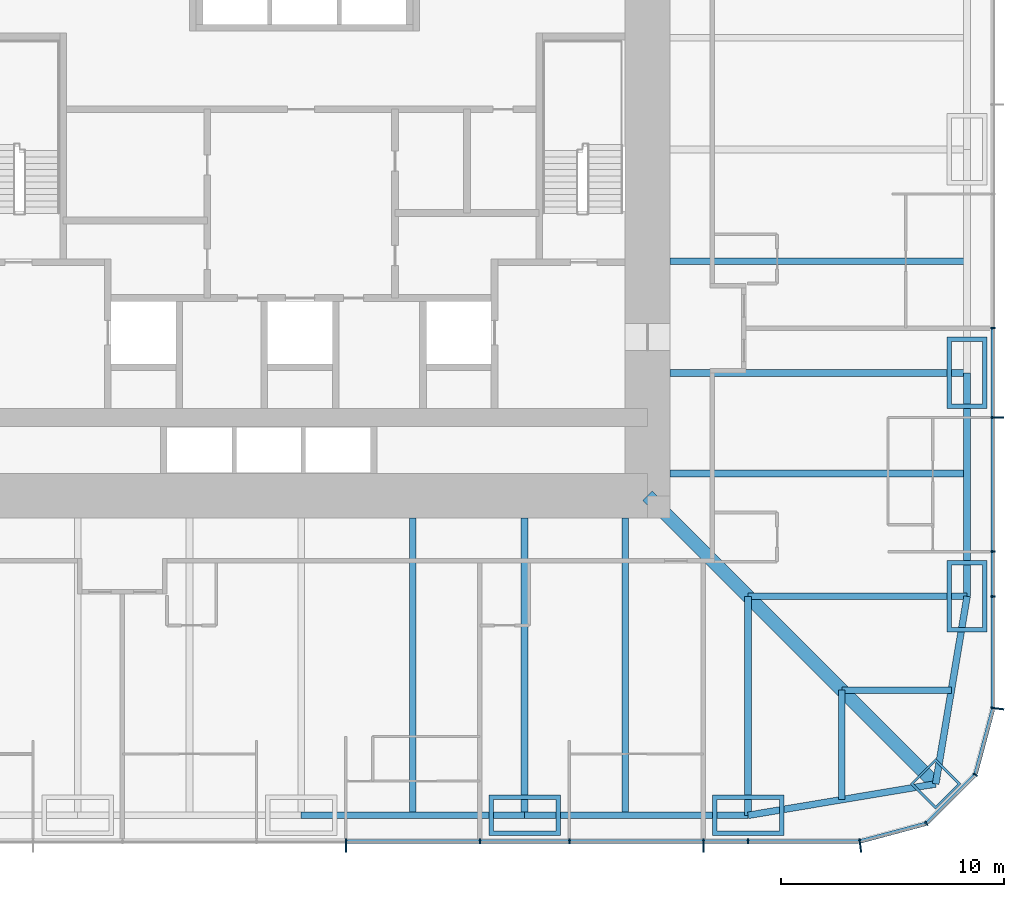
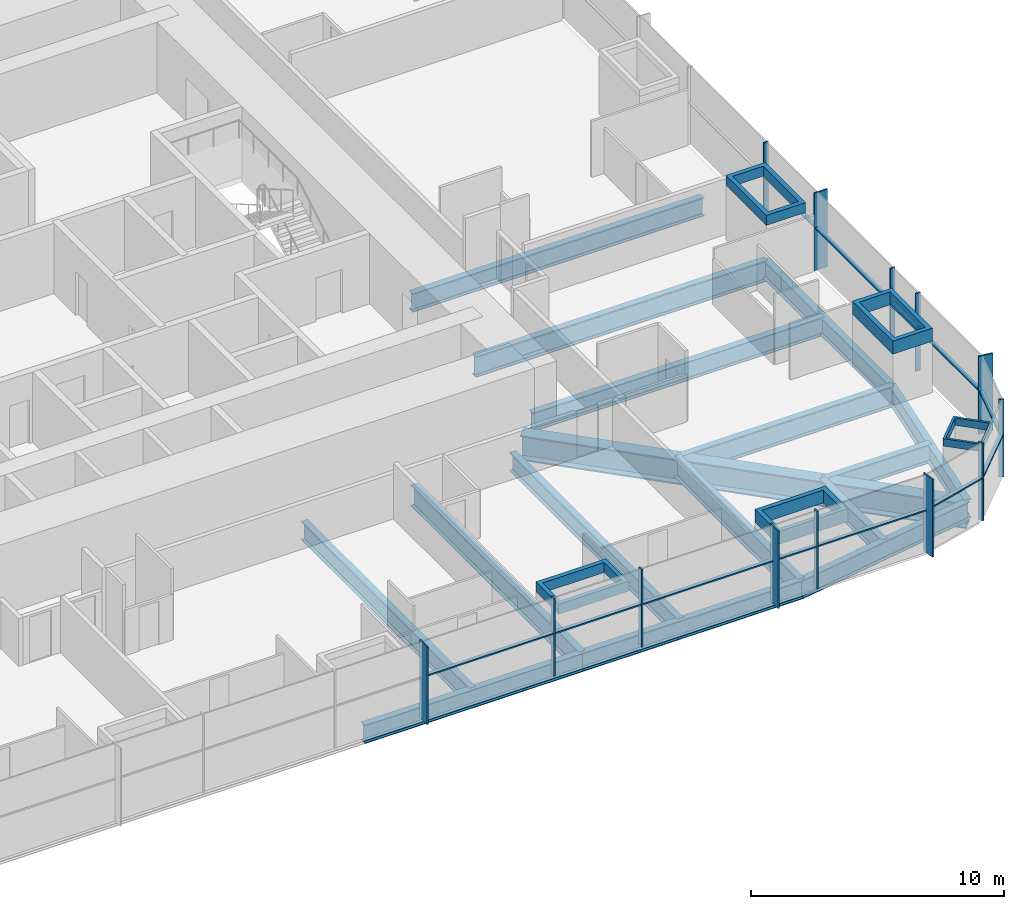
# One storey, part 4 of 17: 30 members, 16 beams, 3 elements without a shape of their own.
"""IFC4 building model written with IfcOpenShell, lengths in metres."""

from ifc_helpers import new_model, si_unit, direction, frame, origin, origin_2d, place, context, subcontext, project, spatial, rectangle, hollow_rectangle, i_section, extrude, material, material_profile, profile_set, type_object, element, aggregate, save


model = new_model("IFC4")

# Units and contexts
model_context = context("Model", 3, precision=1e-05, world=origin(), true_north=direction((0.0, 1.0)))
body_context = subcontext(model_context, "Body", "Model", "MODEL_VIEW")
ifc_project = project(units=[si_unit("LENGTHUNIT", "METRE"), si_unit("AREAUNIT", "SQUARE_METRE"), si_unit("VOLUMEUNIT", "CUBIC_METRE"), si_unit("PLANEANGLEUNIT", "RADIAN"), si_unit("MASSUNIT", "GRAM", prefix="KILO")], contexts=[model_context])

# Site, building, storey
site_placement = place(None, origin())
site = spatial("IfcSite", under=ifc_project, at=site_placement, CompositionType="ELEMENT")
building_placement = place(site_placement, origin())
building = spatial("IfcBuilding", under=site, at=building_placement, Name="Khuree Lantern Residences", CompositionType="ELEMENT")
storey_placement = place(building_placement, frame((0.0, 0.0, 96.0)))
storey = spatial("IfcBuildingStorey", under=building, at=storey_placement, Name="L24", CompositionType="ELEMENT", Elevation=96.0)

# Beams
ifc_material_1 = material(Name="Steel S355", Category="steel")
ifc_material_profile_1 = material_profile(ifc_material_1, i_section(OverallWidth=0.300048828125, OverallDepth=0.89990234375, WebThickness=0.0185546875, FlangeThickness=0.034912109375, FilletRadius=0.030029296875, at=origin_2d()), Name="HE 900 B")
ifc_profile_set_1 = profile_set([ifc_material_profile_1], Name="Steel S355")
beam_type_1 = type_object("IfcBeamType", Name="B-15A SECONDARY BEAM HE 900 B", PredefinedType="BEAM", material=ifc_profile_set_1)
for number, where, z_axis, x_axis, name in (
    (1, (29.800048828125, -5.0, -0.699951171875), (-1.0, 0.0, 0.0), (0.0, -1.0, 0.0), "Secondary beam E4"),
    (2, (29.800048828125, -14.5, -0.699951171875), (-1.0, 0.0, 0.0), (0.0, -1.0, 0.0), "Secondary beam E5"),
):
    element("IfcBeam", number, at=place(storey_placement, frame(where, z_axis=z_axis, x_axis=x_axis)), inside=storey, type_object=beam_type_1, Name=name, PredefinedType="BEAM", context=body_context, shape_type="SweptSolid", body=[
        extrude(i_section(OverallWidth=0.300048828125, OverallDepth=0.89990234375, WebThickness=0.0185546875, FlangeThickness=0.034912109375, FilletRadius=0.030029296875, at=origin_2d()), origin(), (0.0, 0.0, 1.0), 13.300048828125),
    ])
for number, where, z_axis, x_axis, name in (
    (3, (29.09716796875, -24.197021484375, -0.699951171875), (-1.0, 0.0, 0.0), (0.0, -1.0, 0.0), "Secondary beam E6"),
    (4, (24.197021484375, -29.09716796875, -0.699951171875), (0.0, 1.0, 0.0), (-1.0, 0.0, 0.0), "Secondary beam S1"),
):
    element("IfcBeam", number, at=place(storey_placement, frame(where, z_axis=z_axis, x_axis=x_axis)), inside=storey, type_object=beam_type_1, Name=name, PredefinedType="BEAM", context=body_context, shape_type="SweptSolid", body=[
        extrude(i_section(OverallWidth=0.300048828125, OverallDepth=0.89990234375, WebThickness=0.0185546875, FlangeThickness=0.034912109375, FilletRadius=0.030029296875, at=origin_2d()), origin(), (0.0, 0.0, 1.0), 4.900146484375),
    ])
for number, where, z_axis, x_axis, name in (
    (5, (14.5, -29.800048828125, -0.699951171875), (0.0, 1.0, 0.0), (-1.0, 0.0, 0.0), "Secondary beam S2"),
    (6, (5.0, -29.800048828125, -0.699951171875), (0.0, 1.0, 0.0), (-1.0, 0.0, 0.0), "Secondary beam S3"),
):
    element("IfcBeam", number, at=place(storey_placement, frame(where, z_axis=z_axis, x_axis=x_axis)), inside=storey, type_object=beam_type_1, Name=name, PredefinedType="BEAM", context=body_context, shape_type="SweptSolid", body=[
        extrude(i_section(OverallWidth=0.300048828125, OverallDepth=0.89990234375, WebThickness=0.0185546875, FlangeThickness=0.034912109375, FilletRadius=0.030029296875, at=origin_2d()), origin(), (0.0, 0.0, 1.0), 13.300048828125),
    ])
ifc_material_profile_2 = material_profile(ifc_material_1, i_section(OverallWidth=0.300048828125, OverallDepth=0.889892578125, WebThickness=0.01611328125, FlangeThickness=0.030029296875, FilletRadius=0.030029296875, at=origin_2d()), Name="HE 900 A")
ifc_profile_set_2 = profile_set([ifc_material_profile_2], Name="Steel S355")
beam_type_2 = type_object("IfcBeamType", Name="E-15A SPANDREL BEAM HE 900 A", PredefinedType="SPANDREL", material=ifc_profile_set_2)
beam_1_placement = place(storey_placement, frame((29.800048828125, -10.0, -0.695068359375), z_axis=(0.0, -1.0, 0.0), x_axis=(1.0, 0.0, 0.0)))
element("IfcBeam", 7, at=beam_1_placement, inside=storey, type_object=beam_type_2, Name="Spandrel beam E5", PredefinedType="SPANDREL", context=body_context, shape_type="SweptSolid", body=[
    extrude(i_section(OverallWidth=0.300048828125, OverallDepth=0.889892578125, WebThickness=0.01611328125, FlangeThickness=0.030029296875, FilletRadius=0.030029296875, at=origin_2d()), origin(), (0.0, 0.0, 1.0), 10.0),
])
for number, where, z_axis, x_axis, name in (
    (8, (29.800048828125, -20.0, -0.695068359375), (-0.165199022349, -0.986260251158, 0.0), (0.986260251158, -0.165199022349, 0.0), "Spandrel beam E6"),
    (9, (28.39404296875, -28.39404296875, -0.695068359375), (-0.986260251158, -0.165199022349, 0.0), (0.165199022349, -0.986260251158, 0.0), "Spandrel beam S1"),
):
    element("IfcBeam", number, at=place(storey_placement, frame(where, z_axis=z_axis, x_axis=x_axis)), inside=storey, type_object=beam_type_2, Name=name, PredefinedType="SPANDREL", context=body_context, shape_type="SweptSolid", body=[
        extrude(i_section(OverallWidth=0.300048828125, OverallDepth=0.889892578125, WebThickness=0.01611328125, FlangeThickness=0.030029296875, FilletRadius=0.030029296875, at=origin_2d()), origin(), (0.0, 0.0, 1.0), 8.510986328125),
    ])
for number, where, z_axis, x_axis, name in (
    (10, (20.0, -29.800048828125, -0.695068359375), (-1.0, 0.0, 0.0), (0.0, -1.0, 0.0), "Spandrel beam S2"),
    (11, (10.0, -29.800048828125, -0.695068359375), (-1.0, 0.0, 0.0), (0.0, -1.0, 0.0), "Spandrel beam S3"),
):
    element("IfcBeam", number, at=place(storey_placement, frame(where, z_axis=z_axis, x_axis=x_axis)), inside=storey, type_object=beam_type_2, Name=name, PredefinedType="SPANDREL", context=body_context, shape_type="SweptSolid", body=[
        extrude(i_section(OverallWidth=0.300048828125, OverallDepth=0.889892578125, WebThickness=0.01611328125, FlangeThickness=0.030029296875, FilletRadius=0.030029296875, at=origin_2d()), origin(), (0.0, 0.0, 1.0), 10.0),
    ])

# Curtain wall, member
ifc_material_2 = material(Name="Bronze anodised aluminium", Category="aluminium")
curtain_wall_type_1 = type_object("IfcCurtainWallType", Name="CW-T2 TOWER CORNER CURTAIN WALL", PredefinedType="USERDEFINED", material=ifc_material_2)
curtain_wall_1_placement = place(storey_placement, origin())
curtain_wall_1 = element("IfcCurtainWall", 12, at=curtain_wall_1_placement, inside=storey, type_object=curtain_wall_type_1, Name="L24 SOUTH-EAST CORNER CURTAIN WALL", ObjectType="Faceted corner curtain wall", PredefinedType="USERDEFINED")
ifc_material_profile_3 = material_profile(ifc_material_2, rectangle(XDim=0.06494140625, YDim=0.60009765625, at=origin_2d()), Name="F1 65X600")
ifc_profile_set_3 = profile_set([ifc_material_profile_3], Name="Bronze anodised aluminium")
member_type_1 = type_object("IfcMemberType", Name="F1 BRONZE FIN MULLION TOWER 65X600", PredefinedType="MULLION", material=ifc_profile_set_3)
member_1_placement = place(storey_placement, frame((25.019775390625, -31.150146484375, 0.0), z_axis=(0.0, 0.0, 1.0), x_axis=(0.991444852794, 0.130526257387, 0.0)))
member_1 = element("IfcMember", 13, at=member_1_placement, type_object=member_type_1, Name="L24 SOUTH-EAST CORNER FIN MULLION 1", PredefinedType="MULLION", context=body_context, shape_type="SweptSolid", body=[
    extrude(rectangle(XDim=0.06494140625, YDim=0.60009765625, at=origin_2d()), origin(), (0.0, 0.0, 1.0), 3.75),
])

# Curtain wall, members
curtain_wall_type_2 = type_object("IfcCurtainWallType", Name="CW-T1 TOWER FACE CURTAIN WALL", PredefinedType="USERDEFINED", material=ifc_material_2)
curtain_wall_2_placement = place(storey_placement, origin())
curtain_wall_2 = element("IfcCurtainWall", 14, at=curtain_wall_2_placement, inside=storey, type_object=curtain_wall_type_2, Name="L24 EAST FACE CURTAIN WALL", ObjectType="Stick-built curtain wall", PredefinedType="USERDEFINED")
member_2_placement = place(storey_placement, frame((31.150146484375, -25.019775390625, 0.0), z_axis=(0.0, 0.0, 1.0), x_axis=(0.130526257387, 0.991444852794, 0.0)))
member_2 = element("IfcMember", 15, at=member_2_placement, type_object=member_type_1, Name="L24 EAST FACE FIN MULLION 4", PredefinedType="MULLION", context=body_context, shape_type="SweptSolid", body=[
    extrude(rectangle(XDim=0.06494140625, YDim=0.60009765625, at=origin_2d()), origin(), (0.0, 0.0, 1.0), 3.75),
])
member_3_placement = place(storey_placement, frame((31.14990234375, -12.0, 0.0), z_axis=(0.0, 0.0, 1.0), x_axis=(0.0, 1.0, 0.0)))
member_3 = element("IfcMember", 16, at=member_3_placement, type_object=member_type_1, Name="L24 EAST FACE FIN MULLION 7", PredefinedType="MULLION", context=body_context, shape_type="SweptSolid", body=[
    extrude(rectangle(XDim=0.06494140625, YDim=0.60009765625, at=origin_2d()), origin(), (0.0, 0.0, 1.0), 3.75),
])

curtain_wall_3_placement = place(storey_placement, origin())
curtain_wall_3 = element("IfcCurtainWall", 17, at=curtain_wall_3_placement, inside=storey, type_object=curtain_wall_type_2, Name="L24 SOUTH FACE CURTAIN WALL", ObjectType="Stick-built curtain wall", PredefinedType="USERDEFINED")
member_4_placement = place(storey_placement, frame((2.0, -31.14990234375, 0.0), z_axis=(0.0, 0.0, 1.0), x_axis=(1.0, 0.0, 0.0)))
member_4 = element("IfcMember", 18, at=member_4_placement, type_object=member_type_1, Name="L24 SOUTH FACE FIN MULLION 52", PredefinedType="MULLION", context=body_context, shape_type="SweptSolid", body=[
    extrude(rectangle(XDim=0.06494140625, YDim=0.60009765625, at=origin_2d()), origin(), (0.0, 0.0, 1.0), 3.75),
])
member_5_placement = place(storey_placement, frame((18.0, -31.14990234375, 0.0), z_axis=(0.0, 0.0, 1.0), x_axis=(1.0, 0.0, 0.0)))
member_5 = element("IfcMember", 19, at=member_5_placement, type_object=member_type_1, Name="L24 SOUTH FACE FIN MULLION 55", PredefinedType="MULLION", context=body_context, shape_type="SweptSolid", body=[
    extrude(rectangle(XDim=0.06494140625, YDim=0.60009765625, at=origin_2d()), origin(), (0.0, 0.0, 1.0), 3.75),
])

# Beams
ifc_material_profile_4 = material_profile(ifc_material_1, i_section(OverallWidth=0.302001953125, OverallDepth=1.008056640625, WebThickness=0.02099609375, FlangeThickness=0.0400390625, FilletRadius=0.030029296875, at=origin_2d()), Name="HE 1000 M")
ifc_profile_set_4 = profile_set([ifc_material_profile_4], Name="Steel S355")
beam_type_3 = type_object("IfcBeamType", Name="G-15 GIRDER HE 1000 M", PredefinedType="BEAM", material=ifc_profile_set_4)
beam_2_placement = place(storey_placement, frame((29.800048828125, -10.0, -0.75390625), z_axis=(-1.0, 0.0, 0.0), x_axis=(0.0, -1.0, 0.0)))
element("IfcBeam", 20, at=beam_2_placement, inside=storey, type_object=beam_type_3, Name="Girder E4", PredefinedType="BEAM", context=body_context, shape_type="SweptSolid", body=[
    extrude(i_section(OverallWidth=0.302001953125, OverallDepth=1.008056640625, WebThickness=0.02099609375, FlangeThickness=0.0400390625, FilletRadius=0.030029296875, at=origin_2d()), origin(), (0.0, 0.0, 1.0), 13.300048828125),
])
for number, where, z_axis, x_axis, name in (
    (21, (29.800048828125, -20.0, -0.75390625), (-1.0, 0.0, 0.0), (0.0, -1.0, 0.0), "Girder E5"),
    (22, (20.0, -29.800048828125, -0.75390625), (0.0, 1.0, 0.0), (-1.0, 0.0, 0.0), "Girder S1"),
):
    element("IfcBeam", number, at=place(storey_placement, frame(where, z_axis=z_axis, x_axis=x_axis)), inside=storey, type_object=beam_type_3, Name=name, PredefinedType="BEAM", context=body_context, shape_type="SweptSolid", body=[
        extrude(i_section(OverallWidth=0.302001953125, OverallDepth=1.008056640625, WebThickness=0.02099609375, FlangeThickness=0.0400390625, FilletRadius=0.030029296875, at=origin_2d()), origin(), (0.0, 0.0, 1.0), 9.800048828125),
    ])
beam_3_placement = place(storey_placement, frame((10.0, -29.800048828125, -0.75390625), z_axis=(0.0, 1.0, 0.0), x_axis=(-1.0, 0.0, 0.0)))
element("IfcBeam", 23, at=beam_3_placement, inside=storey, type_object=beam_type_3, Name="Girder S2", PredefinedType="BEAM", context=body_context, shape_type="SweptSolid", body=[
    extrude(i_section(OverallWidth=0.302001953125, OverallDepth=1.008056640625, WebThickness=0.02099609375, FlangeThickness=0.0400390625, FilletRadius=0.030029296875, at=origin_2d()), origin(), (0.0, 0.0, 1.0), 13.300048828125),
])
ifc_material_profile_5 = material_profile(ifc_material_1, i_section(OverallWidth=0.60009765625, OverallDepth=1.199951171875, WebThickness=0.030029296875, FlangeThickness=0.06005859375, at=origin_2d()), Name="WELDED I 1200X600X30X60")
ifc_profile_set_5 = profile_set([ifc_material_profile_5], Name="Steel S355")
beam_type_4 = type_object("IfcBeamType", Name="GD-15 CORNER GIRDER WELDED I 1200X600X30X60", PredefinedType="BEAM", material=ifc_profile_set_5)
beam_4_placement = place(storey_placement, frame((28.39404296875, -28.39404296875, -0.85009765625), z_axis=(-0.707106781187, 0.707106781187, 0.0), x_axis=(-0.707106781187, -0.707106781187, 0.0)))
element("IfcBeam", 24, at=beam_4_placement, inside=storey, type_object=beam_type_4, Name="Corner girder SE", PredefinedType="BEAM", context=body_context, shape_type="SweptSolid", body=[
    extrude(i_section(OverallWidth=0.60009765625, OverallDepth=1.199951171875, WebThickness=0.030029296875, FlangeThickness=0.06005859375, at=origin_2d()), origin(), (0.0, 0.0, 1.0), 18.23486328125),
])

# Member
ifc_material_profile_6 = material_profile(ifc_material_2, rectangle(XDim=0.06494140625, YDim=0.219970703125, at=origin_2d()), Name="M1 65X220")
ifc_profile_set_6 = profile_set([ifc_material_profile_6], Name="Bronze anodised aluminium")
member_type_2 = type_object("IfcMemberType", Name="M1 BRONZE MULLION TOWER 65X220", PredefinedType="MULLION", material=ifc_profile_set_6)
member_6_placement = place(storey_placement, frame((27.97998046875, -30.16162109375, 0.0), z_axis=(0.0, 0.0, 1.0), x_axis=(0.86602537092, 0.500000056923, 0.0)))
member_6 = element("IfcMember", 25, at=member_6_placement, type_object=member_type_2, Name="L24 SOUTH-EAST CORNER MULLION 2", PredefinedType="MULLION", context=body_context, shape_type="SweptSolid", body=[
    extrude(rectangle(XDim=0.06494140625, YDim=0.219970703125, at=origin_2d()), origin(), (0.0, 0.0, 1.0), 3.75),
])

member_7_placement = place(storey_placement, frame((30.16162109375, -27.97998046875, 0.0), z_axis=(0.0, 0.0, 1.0), x_axis=(0.500000056923, 0.86602537092, 0.0)))
member_7 = element("IfcMember", 26, at=member_7_placement, type_object=member_type_2, Name="L24 SOUTH-EAST CORNER MULLION 3", PredefinedType="MULLION", context=body_context, shape_type="SweptSolid", body=[
    extrude(rectangle(XDim=0.06494140625, YDim=0.219970703125, at=origin_2d()), origin(), (0.0, 0.0, 1.0), 3.75),
])

member_8_placement = place(storey_placement, frame((30.9599609375, -20.0, 0.0), z_axis=(0.0, 0.0, 1.0), x_axis=(0.0, 1.0, 0.0)))
member_8 = element("IfcMember", 27, at=member_8_placement, type_object=member_type_2, Name="L24 EAST FACE MULLION 5", PredefinedType="MULLION", context=body_context, shape_type="SweptSolid", body=[
    extrude(rectangle(XDim=0.06494140625, YDim=0.219970703125, at=origin_2d()), origin(), (0.0, 0.0, 1.0), 3.75),
])

member_9_placement = place(storey_placement, frame((30.9599609375, -18.0, 0.0), z_axis=(0.0, 0.0, 1.0), x_axis=(0.0, 1.0, 0.0)))
member_9 = element("IfcMember", 28, at=member_9_placement, type_object=member_type_2, Name="L24 EAST FACE MULLION 6", PredefinedType="MULLION", context=body_context, shape_type="SweptSolid", body=[
    extrude(rectangle(XDim=0.06494140625, YDim=0.219970703125, at=origin_2d()), origin(), (0.0, 0.0, 1.0), 3.75),
])

member_10_placement = place(storey_placement, frame((30.9599609375, -8.0, 0.0), z_axis=(0.0, 0.0, 1.0), x_axis=(0.0, 1.0, 0.0)))
member_10 = element("IfcMember", 29, at=member_10_placement, type_object=member_type_2, Name="L24 EAST FACE MULLION 8", PredefinedType="MULLION", context=body_context, shape_type="SweptSolid", body=[
    extrude(rectangle(XDim=0.06494140625, YDim=0.219970703125, at=origin_2d()), origin(), (0.0, 0.0, 1.0), 3.75),
])

member_11_placement = place(storey_placement, frame((8.0, -30.9599609375, 0.0), z_axis=(0.0, 0.0, 1.0), x_axis=(1.0, 0.0, 0.0)))
member_11 = element("IfcMember", 30, at=member_11_placement, type_object=member_type_2, Name="L24 SOUTH FACE MULLION 53", PredefinedType="MULLION", context=body_context, shape_type="SweptSolid", body=[
    extrude(rectangle(XDim=0.06494140625, YDim=0.219970703125, at=origin_2d()), origin(), (0.0, 0.0, 1.0), 3.75),
])

member_12_placement = place(storey_placement, frame((12.0, -30.9599609375, 0.0), z_axis=(0.0, 0.0, 1.0), x_axis=(1.0, 0.0, 0.0)))
member_12 = element("IfcMember", 31, at=member_12_placement, type_object=member_type_2, Name="L24 SOUTH FACE MULLION 54", PredefinedType="MULLION", context=body_context, shape_type="SweptSolid", body=[
    extrude(rectangle(XDim=0.06494140625, YDim=0.219970703125, at=origin_2d()), origin(), (0.0, 0.0, 1.0), 3.75),
])

member_13_placement = place(storey_placement, frame((20.0, -30.9599609375, 0.0), z_axis=(0.0, 0.0, 1.0), x_axis=(1.0, 0.0, 0.0)))
member_13 = element("IfcMember", 32, at=member_13_placement, type_object=member_type_2, Name="L24 SOUTH FACE MULLION 56", PredefinedType="MULLION", context=body_context, shape_type="SweptSolid", body=[
    extrude(rectangle(XDim=0.06494140625, YDim=0.219970703125, at=origin_2d()), origin(), (0.0, 0.0, 1.0), 3.75),
])

# Members
ifc_material_3 = material(Name="Steel S355 CFT welded box", Category="steel")
ifc_material_profile_7 = material_profile(ifc_material_3, hollow_rectangle(XDim=3.199951171875, YDim=1.800048828125, WallThickness=0.199951171875, at=origin_2d()), Name="WELDED BOX 3200X1800X200")
ifc_profile_set_7 = profile_set([ifc_material_profile_7], Name="Steel S355 CFT welded box")
member_type_3 = type_object("IfcMemberType", Name="MN MEGA COLUMN NODE WELDED BOX 3200X1800X200", PredefinedType="MEMBER", material=ifc_profile_set_7)
member_14_placement = place(storey_placement, frame((29.800048828125, -10.0, 2.6201171875), z_axis=(0.0, 0.0, 1.0), x_axis=(0.0, 1.0, 0.0)))
element("IfcMember", 33, at=member_14_placement, inside=storey, type_object=member_type_3, Name="Mega column node E4", PredefinedType="MEMBER", context=body_context, shape_type="SweptSolid", body=[
    extrude(hollow_rectangle(XDim=3.199951171875, YDim=1.800048828125, WallThickness=0.199951171875, at=origin_2d()), origin(), (0.0, 0.0, 1.0), 0.47998046875),
])
for number, where, z_axis, x_axis, name in (
    (34, (29.800048828125, -20.0, 2.469970703125), (0.0, 0.0, 1.0), (0.0, 1.0, 0.0), "Mega column node E5"),
    (35, (20.0, -29.800048828125, 2.469970703125), (0.0, 0.0, 1.0), (1.0, 0.0, 0.0), "Mega column node S1"),
):
    element("IfcMember", number, at=place(storey_placement, frame(where, z_axis=z_axis, x_axis=x_axis)), inside=storey, type_object=member_type_3, Name=name, PredefinedType="MEMBER", context=body_context, shape_type="SweptSolid", body=[
        extrude(hollow_rectangle(XDim=3.199951171875, YDim=1.800048828125, WallThickness=0.199951171875, at=origin_2d()), origin(), (0.0, 0.0, 1.0), 0.630126953125),
    ])
member_15_placement = place(storey_placement, frame((10.0, -29.800048828125, 2.6201171875), z_axis=(0.0, 0.0, 1.0), x_axis=(1.0, 0.0, 0.0)))
element("IfcMember", 36, at=member_15_placement, inside=storey, type_object=member_type_3, Name="Mega column node S2", PredefinedType="MEMBER", context=body_context, shape_type="SweptSolid", body=[
    extrude(hollow_rectangle(XDim=3.199951171875, YDim=1.800048828125, WallThickness=0.199951171875, at=origin_2d()), origin(), (0.0, 0.0, 1.0), 0.47998046875),
])
ifc_material_profile_8 = material_profile(ifc_material_3, hollow_rectangle(XDim=1.60009765625, YDim=1.60009765625, WallThickness=0.10009765625, at=origin_2d()), Name="WELDED BOX 1600X1600X100")
ifc_profile_set_8 = profile_set([ifc_material_profile_8], Name="Steel S355 CFT welded box")
member_type_4 = type_object("IfcMemberType", Name="MNA MEGA COLUMN NODE WELDED BOX 1600X1600X100", PredefinedType="MEMBER", material=ifc_profile_set_8)
member_16_placement = place(storey_placement, frame((28.39404296875, -28.39404296875, 2.739990234375), z_axis=(0.0, 0.0, 1.0), x_axis=(0.707106781187, 0.707106781187, 0.0)))
element("IfcMember", 37, at=member_16_placement, inside=storey, type_object=member_type_4, Name="Mega column node SE", PredefinedType="MEMBER", context=body_context, shape_type="SweptSolid", body=[
    extrude(hollow_rectangle(XDim=1.60009765625, YDim=1.60009765625, WallThickness=0.10009765625, at=origin_2d()), origin(), (0.0, 0.0, 1.0), 0.360107421875),
])

# Member
ifc_material_profile_9 = material_profile(ifc_material_2, rectangle(XDim=0.179931640625, YDim=0.06494140625, at=origin_2d()), Name="T1 180X65")
ifc_profile_set_9 = profile_set([ifc_material_profile_9], Name="Bronze anodised aluminium")
member_type_5 = type_object("IfcMemberType", Name="TRANSOM T1 TOWER 180X65", PredefinedType="USERDEFINED", material=ifc_profile_set_9)
member_17_placement = place(storey_placement, frame((25.0390625, -30.95849609375, 2.050048828125), z_axis=(0.965934938286, 0.258785036271, 0.0), x_axis=(-0.258785036271, 0.965934938286, 0.0)))
member_17 = element("IfcMember", 38, at=member_17_placement, type_object=member_type_5, Name="L24 SOUTH-EAST CORNER TRANSOM 1.1", ObjectType="Transom", PredefinedType="USERDEFINED", context=body_context, shape_type="SweptSolid", body=[
    extrude(rectangle(XDim=0.179931640625, YDim=0.06494140625, at=origin_2d()), origin(), (0.0, 0.0, 1.0), 2.991455078125),
])

member_18_placement = place(storey_placement, frame((28.025390625, -30.12841796875, 2.050048828125), z_axis=(0.707106781187, 0.707106781187, 0.0), x_axis=(-0.707106781187, 0.707106781187, 0.0)))
member_18 = element("IfcMember", 39, at=member_18_placement, type_object=member_type_5, Name="L24 SOUTH-EAST CORNER TRANSOM 2.1", ObjectType="Transom", PredefinedType="USERDEFINED", context=body_context, shape_type="SweptSolid", body=[
    extrude(rectangle(XDim=0.179931640625, YDim=0.06494140625, at=origin_2d()), origin(), (0.0, 0.0, 1.0), 2.97412109375),
])

member_19_placement = place(storey_placement, frame((30.184326171875, -27.9287109375, 2.050048828125), z_axis=(0.258785036271, 0.965934938286, 0.0), x_axis=(-0.965934938286, 0.258785036271, 0.0)))
member_19 = element("IfcMember", 40, at=member_19_placement, type_object=member_type_5, Name="L24 SOUTH-EAST CORNER TRANSOM 3.1", ObjectType="Transom", PredefinedType="USERDEFINED", context=body_context, shape_type="SweptSolid", body=[
    extrude(rectangle(XDim=0.179931640625, YDim=0.06494140625, at=origin_2d()), origin(), (0.0, 0.0, 1.0), 2.991455078125),
])

aggregate(curtain_wall_1, [member_1, member_6, member_7, member_17, member_18, member_19])

member_20_placement = place(storey_placement, frame((30.969970703125, -24.951416015625, 2.050048828125), z_axis=(0.0, 1.0, 0.0), x_axis=(-1.0, 0.0, 0.0)))
member_20 = element("IfcMember", 41, at=member_20_placement, type_object=member_type_5, Name="L24 EAST FACE TRANSOM 4.1", ObjectType="Transom", PredefinedType="USERDEFINED", context=body_context, shape_type="SweptSolid", body=[
    extrude(rectangle(XDim=0.179931640625, YDim=0.06494140625, at=origin_2d()), origin(), (0.0, 0.0, 1.0), 4.9189453125),
])

member_21_placement = place(storey_placement, frame((30.969970703125, -19.967529296875, 2.050048828125), z_axis=(0.0, 1.0, 0.0), x_axis=(-1.0, 0.0, 0.0)))
member_21 = element("IfcMember", 42, at=member_21_placement, type_object=member_type_5, Name="L24 EAST FACE TRANSOM 5.1", ObjectType="Transom", PredefinedType="USERDEFINED", context=body_context, shape_type="SweptSolid", body=[
    extrude(rectangle(XDim=0.179931640625, YDim=0.06494140625, at=origin_2d()), origin(), (0.0, 0.0, 1.0), 1.93505859375),
])

member_22_placement = place(storey_placement, frame((30.969970703125, -17.967529296875, 2.050048828125), z_axis=(0.0, 1.0, 0.0), x_axis=(-1.0, 0.0, 0.0)))
member_22 = element("IfcMember", 43, at=member_22_placement, type_object=member_type_5, Name="L24 EAST FACE TRANSOM 6.1", ObjectType="Transom", PredefinedType="USERDEFINED", context=body_context, shape_type="SweptSolid", body=[
    extrude(rectangle(XDim=0.179931640625, YDim=0.06494140625, at=origin_2d()), origin(), (0.0, 0.0, 1.0), 5.93505859375),
])

member_23_placement = place(storey_placement, frame((30.969970703125, -11.967529296875, 2.050048828125), z_axis=(0.0, 1.0, 0.0), x_axis=(-1.0, 0.0, 0.0)))
member_23 = element("IfcMember", 44, at=member_23_placement, type_object=member_type_5, Name="L24 EAST FACE TRANSOM 7.1", ObjectType="Transom", PredefinedType="USERDEFINED", context=body_context, shape_type="SweptSolid", body=[
    extrude(rectangle(XDim=0.179931640625, YDim=0.06494140625, at=origin_2d()), origin(), (0.0, 0.0, 1.0), 3.93505859375),
])

aggregate(curtain_wall_2, [member_2, member_8, member_9, member_3, member_10, member_20, member_21, member_22, member_23])

member_24_placement = place(storey_placement, frame((2.032470703125, -30.969970703125, 2.050048828125), z_axis=(1.0, 0.0, 0.0), x_axis=(0.0, 1.0, 0.0)))
member_24 = element("IfcMember", 45, at=member_24_placement, type_object=member_type_5, Name="L24 SOUTH FACE TRANSOM 52.1", ObjectType="Transom", PredefinedType="USERDEFINED", context=body_context, shape_type="SweptSolid", body=[
    extrude(rectangle(XDim=0.179931640625, YDim=0.06494140625, at=origin_2d()), origin(), (0.0, 0.0, 1.0), 5.93505859375),
])

member_25_placement = place(storey_placement, frame((8.032470703125, -30.969970703125, 2.050048828125), z_axis=(1.0, 0.0, 0.0), x_axis=(0.0, 1.0, 0.0)))
member_25 = element("IfcMember", 46, at=member_25_placement, type_object=member_type_5, Name="L24 SOUTH FACE TRANSOM 53.1", ObjectType="Transom", PredefinedType="USERDEFINED", context=body_context, shape_type="SweptSolid", body=[
    extrude(rectangle(XDim=0.179931640625, YDim=0.06494140625, at=origin_2d()), origin(), (0.0, 0.0, 1.0), 3.93505859375),
])

member_26_placement = place(storey_placement, frame((12.032470703125, -30.969970703125, 2.050048828125), z_axis=(1.0, 0.0, 0.0), x_axis=(0.0, 1.0, 0.0)))
member_26 = element("IfcMember", 47, at=member_26_placement, type_object=member_type_5, Name="L24 SOUTH FACE TRANSOM 54.1", ObjectType="Transom", PredefinedType="USERDEFINED", context=body_context, shape_type="SweptSolid", body=[
    extrude(rectangle(XDim=0.179931640625, YDim=0.06494140625, at=origin_2d()), origin(), (0.0, 0.0, 1.0), 5.93505859375),
])

member_27_placement = place(storey_placement, frame((18.032470703125, -30.969970703125, 2.050048828125), z_axis=(1.0, 0.0, 0.0), x_axis=(0.0, 1.0, 0.0)))
member_27 = element("IfcMember", 48, at=member_27_placement, type_object=member_type_5, Name="L24 SOUTH FACE TRANSOM 55.1", ObjectType="Transom", PredefinedType="USERDEFINED", context=body_context, shape_type="SweptSolid", body=[
    extrude(rectangle(XDim=0.179931640625, YDim=0.06494140625, at=origin_2d()), origin(), (0.0, 0.0, 1.0), 1.93505859375),
])

member_28_placement = place(storey_placement, frame((20.032470703125, -30.969970703125, 2.050048828125), z_axis=(1.0, 0.0, 0.0), x_axis=(0.0, 1.0, 0.0)))
member_28 = element("IfcMember", 49, at=member_28_placement, type_object=member_type_5, Name="L24 SOUTH FACE TRANSOM 56.1", ObjectType="Transom", PredefinedType="USERDEFINED", context=body_context, shape_type="SweptSolid", body=[
    extrude(rectangle(XDim=0.179931640625, YDim=0.06494140625, at=origin_2d()), origin(), (0.0, 0.0, 1.0), 4.9189453125),
])

aggregate(curtain_wall_3, [member_4, member_11, member_12, member_5, member_13, member_24, member_25, member_26, member_27, member_28])

save(model, "model.ifc")
